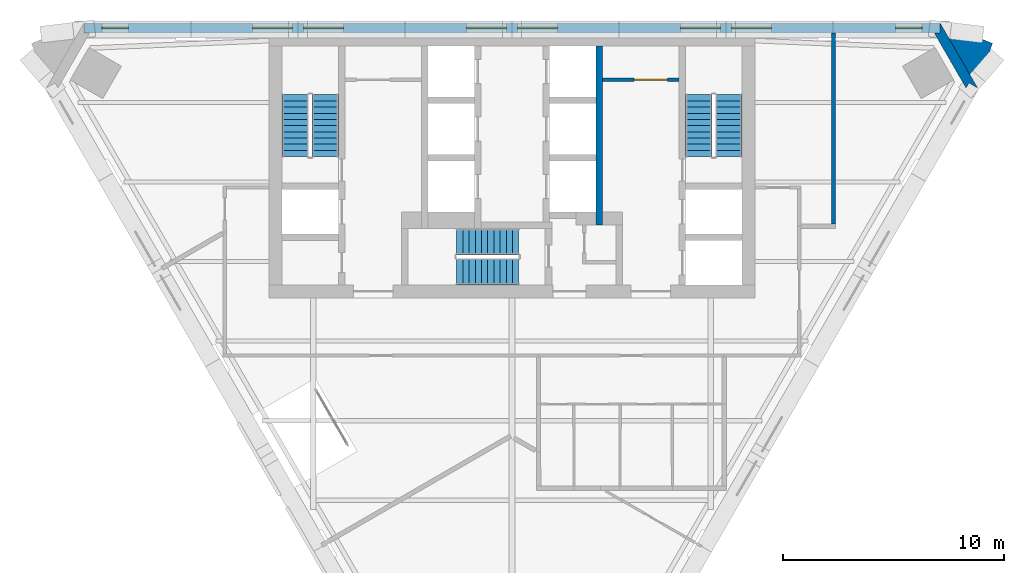
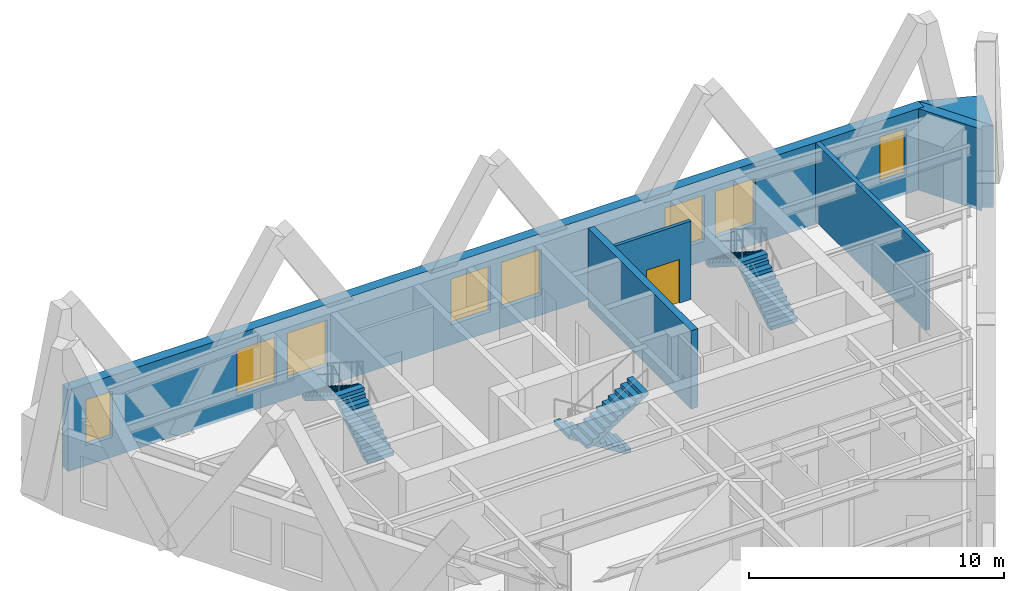
# One storey, part 7 of 9: 8 windows, 6 stair flights, 6 walls, 1 door, 9 openings, 3 elements without a shape of their own.
"""IFC4 building model written with IfcOpenShell, lengths in metres."""

from ifc_helpers import new_model, si_unit, direction, frame, frame_2d, origin, place, context, subcontext, project, spatial, polyline, rectangle, outline, extrude, material, layer, layer_set, type_object, element, fill, aggregate, save


model = new_model("IFC4")

# Units and contexts
model_context = context("Model", 3, precision=1e-05, world=origin(), true_north=direction((0.0, 1.0)))
body_context = subcontext(model_context, "Body", "Model", "MODEL_VIEW")
ifc_project = project(units=[si_unit("LENGTHUNIT", "METRE"), si_unit("AREAUNIT", "SQUARE_METRE"), si_unit("VOLUMEUNIT", "CUBIC_METRE"), si_unit("PLANEANGLEUNIT", "RADIAN"), si_unit("MASSUNIT", "GRAM", prefix="KILO")], contexts=[model_context])

# Site, building, storey
site_placement = place(None, origin())
site = spatial("IfcSite", under=ifc_project, at=site_placement, CompositionType="ELEMENT")
building_placement = place(site_placement, origin())
building = spatial("IfcBuilding", under=site, at=building_placement, Name="Aloe Facet Convention Tower", CompositionType="ELEMENT")
storey_placement = place(building_placement, frame((0.0, 0.0, 203.60009765625)))
storey = spatial("IfcBuildingStorey", under=building, at=storey_placement, Name="L51", CompositionType="ELEMENT", Elevation=203.60009765625)

# Wall, opening, door
ifc_material_1 = material(Name="Concrete blockwork partition", Category="masonry")
ifc_layer_1 = layer(ifc_material_1, 0.14990234375)
ifc_layer_set_1 = layer_set([ifc_layer_1], Name="CR-W-PART150")
wall_type_1 = type_object("IfcWallType", Name="CR-W-PART150", PredefinedType="PARTITIONING", material=ifc_layer_set_1)
wall_1_placement = place(storey_placement, frame((84.10009765625, 132.425048828125, 0.0), z_axis=(0.0, 0.0, 1.0), x_axis=(1.0, 0.0, 0.0)))
wall_1 = element("IfcWall", 1, at=wall_1_placement, inside=storey, type_object=wall_type_1, Name="Core partition L51-025", PredefinedType="PARTITIONING", context=body_context, shape_type="SweptSolid", body=[
    extrude(rectangle(XDim=3.449951171875, YDim=0.14990234375, at=frame_2d((1.72509765625, 0.0))), origin(), (0.0, 0.0, 1.0), 3.75),
])
opening_1_placement = place(wall_1_placement, frame((1.425048828125, 0.0, 0.0)))
opening_1 = element("IfcOpeningElement", 2, at=opening_1_placement, cuts=wall_1, Name="Opening L51-CD13", PredefinedType="OPENING", context=body_context, shape_type="SweptSolid", body=[
    extrude(rectangle(XDim=1.5, YDim=2.10009765625, at=frame_2d((0.75, 1.050048828125))), frame((0.0, 0.0849609375, 0.0), z_axis=(0.0, -1.0, 0.0), x_axis=(1.0, 0.0, 0.0)), (0.0, 0.0, 1.0), 0.169921875),
])
ifc_material_2 = material(Name="Steel fire-resisting door set FD60", Category="steel")
door_type = type_object("IfcDoorType", Name="CR-D-REFUGE-1500-FD60-DD", OperationType="DOUBLE_DOOR_DOUBLE_SWING", PredefinedType="DOOR", material=ifc_material_2)
door_placement = place(opening_1_placement, origin())
door = element("IfcDoor", 3, at=door_placement, inside=storey, type_object=door_type, Name="Core door L51-CD13", OperationType="DOUBLE_DOOR_DOUBLE_SWING", OverallHeight=2.10009765625, OverallWidth=1.5, PredefinedType="DOOR", context=body_context, shape_type="SweptSolid", body=[
    extrude(rectangle(XDim=1.5, YDim=2.10009765625, at=frame_2d((0.75, 1.050048828125))), frame((0.0, 0.02490234375, 0.0), z_axis=(0.0, -1.0, 0.0), x_axis=(1.0, 0.0, 0.0)), (0.0, 0.0, 1.0), 0.050048828125),
])
fill(opening_1, door)

# Walls
ifc_material_3 = material(Name="Concrete C50/60", Category="concrete")
ifc_layer_2 = layer(ifc_material_3, 0.300048828125)
ifc_layer_set_2 = layer_set([ifc_layer_2], Name="CR-W-RC300-C5060")
wall_type_2 = type_object("IfcWallType", Name="CR-W-RC300-C5060", PredefinedType="SOLIDWALL", material=ifc_layer_set_2)
wall_2_placement = place(storey_placement, frame((83.949951171875, 133.949951171875, 0.0), z_axis=(0.0, 0.0, 1.0), x_axis=(0.0, -1.0, 0.0)))
element("IfcWall", 4, at=wall_2_placement, inside=storey, type_object=wall_type_2, Name="Core wall L51-024", PredefinedType="SOLIDWALL", context=body_context, shape_type="SweptSolid", body=[
    extrude(rectangle(XDim=8.099853515625, YDim=0.300048828125, at=frame_2d((4.0498046875, 0.0))), origin(), (0.0, 0.0, 1.0), 3.75),
])
ifc_material_4 = material(Name="Precast concrete C40/50", Category="concrete")
ifc_layer_3 = layer(ifc_material_4, 0.449951171875)
ifc_layer_set_3 = layer_set([ifc_layer_3], Name="EV-WALL-PIER")
wall_type_3 = type_object("IfcWallType", Name="EV-WALL-PIER", PredefinedType="SOLIDWALL", material=ifc_layer_set_3)
wall_3_placement = place(storey_placement, frame((0.0, 0.0, -0.150146484375)))
element("IfcWall", 5, at=wall_3_placement, inside=storey, type_object=wall_type_3, Name="EP-L51-C", PredefinedType="SOLIDWALL", context=body_context, shape_type="SweptSolid", body=[
    extrude(outline(polyline([(101.064697265625, 132.055419921875), (100.6748046875, 132.280517578125), (100.544921875, 132.055419921875), (99.104736328125, 134.550048828125), (99.364501953125, 134.550048828125), (99.364501953125, 135.0), (101.064697265625, 132.055419921875)])), origin(), (0.0, 0.0, 1.0), 3.900146484375),
])
ifc_material_5 = material(Name="Precast concrete C40/50", Category="concrete")
ifc_layer_4 = layer(ifc_material_5, 3.947998046875)
ifc_layer_set_4 = layer_set([ifc_layer_4], Name="EV-WALL-SPINE")
wall_type_4 = type_object("IfcWallType", Name="EV-WALL-SPINE", PredefinedType="SOLIDWALL", material=ifc_layer_set_4)
wall_4_placement = place(storey_placement, frame((0.0, 0.0, -0.150146484375)))
element("IfcWall", 6, at=wall_4_placement, inside=storey, type_object=wall_type_4, Name="SP-NE-L51", PredefinedType="SOLIDWALL", context=body_context, shape_type="SweptSolid", body=[
    extrude(outline(polyline([(101.064697265625, 132.055419921875), (101.741943359375, 134.07763671875), (99.364501953125, 135.0), (101.064697265625, 132.055419921875)])), origin(), (0.0, 0.0, 1.0), 3.900146484375),
])

# Wall, openings, windows
ifc_material_6 = material(Name="Precast concrete C40/50", Category="concrete")
ifc_layer_5 = layer(ifc_material_6, 0.449951171875)
ifc_layer_set_5 = layer_set([ifc_layer_5], Name="EV-WALL-STONE")
wall_type_5 = type_object("IfcWallType", Name="EV-WALL-STONE", PredefinedType="SOLIDWALL", material=ifc_layer_set_5)
wall_5_placement = place(storey_placement, frame((99.364501953125, 134.77490234375, -0.150146484375), z_axis=(0.0, 0.0, 1.0), x_axis=(-1.0, 0.0, 0.0)))
wall_5 = element("IfcWall", 7, at=wall_5_placement, inside=storey, type_object=wall_type_5, Name="EW-L51-N01", PredefinedType="SOLIDWALL", context=body_context, shape_type="SweptSolid", body=[
    extrude(outline(polyline([(38.729248046875, 0.0), (38.729248046875, 3.900146484375), (0.0, 3.900146484375), (0.0, 0.0), (38.729248046875, 0.0)])), frame((0.0, 0.22509765625, 0.0), z_axis=(0.0, -1.0, 0.0), x_axis=(1.0, 0.0, 0.0)), (0.0, 0.0, 1.0), 0.449951171875),
])
opening_2_placement = place(wall_5_placement, frame((0.80712890625, 0.0, 0.949951171875)))
opening_2 = element("IfcOpeningElement", 8, at=opening_2_placement, cuts=wall_5, Name="Opening W-L51-N01", PredefinedType="OPENING", context=body_context, shape_type="SweptSolid", body=[
    extrude(rectangle(XDim=1.199951171875, YDim=2.199951171875, at=frame_2d((0.60009765625, 1.10009765625))), frame((0.0, 0.23486328125, 0.0), z_axis=(0.0, -1.0, 0.0), x_axis=(1.0, 0.0, 0.0)), (0.0, 0.0, 1.0), 0.469970703125),
])
opening_3_placement = place(wall_5_placement, frame((7.63232421875, 0.0, 0.949951171875)))
opening_3 = element("IfcOpeningElement", 9, at=opening_3_placement, cuts=wall_5, Name="Opening W-L51-N02", PredefinedType="OPENING", context=body_context, shape_type="SweptSolid", body=[
    extrude(rectangle(XDim=1.800048828125, YDim=2.199951171875, at=frame_2d((0.89990234375, 1.10009765625))), frame((0.0, 0.23486328125, 0.0), z_axis=(0.0, -1.0, 0.0), x_axis=(1.0, 0.0, 0.0)), (0.0, 0.0, 1.0), 0.469970703125),
])
opening_4_placement = place(wall_5_placement, frame((9.932373046875, 0.0, 0.949951171875)))
opening_4 = element("IfcOpeningElement", 10, at=opening_4_placement, cuts=wall_5, Name="Opening W-L51-N03", PredefinedType="OPENING", context=body_context, shape_type="SweptSolid", body=[
    extrude(rectangle(XDim=1.800048828125, YDim=2.199951171875, at=frame_2d((0.89990234375, 1.10009765625))), frame((0.0, 0.23486328125, 0.0), z_axis=(0.0, -1.0, 0.0), x_axis=(1.0, 0.0, 0.0)), (0.0, 0.0, 1.0), 0.469970703125),
])
opening_5_placement = place(wall_5_placement, frame((17.314697265625, 0.0, 0.949951171875)))
opening_5 = element("IfcOpeningElement", 11, at=opening_5_placement, cuts=wall_5, Name="Opening W-L51-N04", PredefinedType="OPENING", context=body_context, shape_type="SweptSolid", body=[
    extrude(rectangle(XDim=1.800048828125, YDim=2.199951171875, at=frame_2d((0.89990234375, 1.10009765625))), frame((0.0, 0.23486328125, 0.0), z_axis=(0.0, -1.0, 0.0), x_axis=(1.0, 0.0, 0.0)), (0.0, 0.0, 1.0), 0.469970703125),
])
opening_6_placement = place(wall_5_placement, frame((19.614501953125, 0.0, 0.949951171875)))
opening_6 = element("IfcOpeningElement", 12, at=opening_6_placement, cuts=wall_5, Name="Opening W-L51-N05", PredefinedType="OPENING", context=body_context, shape_type="SweptSolid", body=[
    extrude(rectangle(XDim=1.800048828125, YDim=2.199951171875, at=frame_2d((0.89990234375, 1.10009765625))), frame((0.0, 0.23486328125, 0.0), z_axis=(0.0, -1.0, 0.0), x_axis=(1.0, 0.0, 0.0)), (0.0, 0.0, 1.0), 0.469970703125),
])
opening_7_placement = place(wall_5_placement, frame((26.996826171875, 0.0, 0.949951171875)))
opening_7 = element("IfcOpeningElement", 13, at=opening_7_placement, cuts=wall_5, Name="Opening W-L51-N06", PredefinedType="OPENING", context=body_context, shape_type="SweptSolid", body=[
    extrude(rectangle(XDim=1.800048828125, YDim=2.199951171875, at=frame_2d((0.89990234375, 1.10009765625))), frame((0.0, 0.23486328125, 0.0), z_axis=(0.0, -1.0, 0.0), x_axis=(1.0, 0.0, 0.0)), (0.0, 0.0, 1.0), 0.469970703125),
])
opening_8_placement = place(wall_5_placement, frame((29.296875, 0.0, 0.949951171875)))
opening_8 = element("IfcOpeningElement", 14, at=opening_8_placement, cuts=wall_5, Name="Opening W-L51-N07", PredefinedType="OPENING", context=body_context, shape_type="SweptSolid", body=[
    extrude(rectangle(XDim=1.800048828125, YDim=2.199951171875, at=frame_2d((0.89990234375, 1.10009765625))), frame((0.0, 0.23486328125, 0.0), z_axis=(0.0, -1.0, 0.0), x_axis=(1.0, 0.0, 0.0)), (0.0, 0.0, 1.0), 0.469970703125),
])
opening_9_placement = place(wall_5_placement, frame((36.72216796875, 0.0, 0.949951171875)))
opening_9 = element("IfcOpeningElement", 15, at=opening_9_placement, cuts=wall_5, Name="Opening W-L51-N08", PredefinedType="OPENING", context=body_context, shape_type="SweptSolid", body=[
    extrude(rectangle(XDim=1.199951171875, YDim=2.199951171875, at=frame_2d((0.60009765625, 1.10009765625))), frame((0.0, 0.23486328125, 0.0), z_axis=(0.0, -1.0, 0.0), x_axis=(1.0, 0.0, 0.0)), (0.0, 0.0, 1.0), 0.469970703125),
])
ifc_material_7 = material(Name="Aluminium frame, clear double glazing", Category="aluminium")
window_type_1 = type_object("IfcWindowType", Name="EV-WIN-O12", PartitioningType="SINGLE_PANEL", PredefinedType="WINDOW", material=ifc_material_7)
window_1_placement = place(opening_2_placement, origin())
window_1 = element("IfcWindow", 16, at=window_1_placement, inside=storey, type_object=window_type_1, Name="W-L51-N01", OverallHeight=2.199951171875, OverallWidth=1.199951171875, PartitioningType="SINGLE_PANEL", PredefinedType="WINDOW", context=body_context, shape_type="SweptSolid", body=[
    extrude(rectangle(XDim=1.199951171875, YDim=2.199951171875, at=frame_2d((0.60009765625, 1.10009765625))), frame((0.0, 0.030029296875, 0.0), z_axis=(0.0, -1.0, 0.0), x_axis=(1.0, 0.0, 0.0)), (0.0, 0.0, 1.0), 0.06005859375),
])
fill(opening_2, window_1)
window_2_placement = place(opening_9_placement, origin())
window_2 = element("IfcWindow", 17, at=window_2_placement, inside=storey, type_object=window_type_1, Name="W-L51-N08", OverallHeight=2.199951171875, OverallWidth=1.199951171875, PartitioningType="SINGLE_PANEL", PredefinedType="WINDOW", context=body_context, shape_type="SweptSolid", body=[
    extrude(rectangle(XDim=1.199951171875, YDim=2.199951171875, at=frame_2d((0.60009765625, 1.10009765625))), frame((0.0, 0.030029296875, 0.0), z_axis=(0.0, -1.0, 0.0), x_axis=(1.0, 0.0, 0.0)), (0.0, 0.0, 1.0), 0.06005859375),
])
fill(opening_9, window_2)
ifc_material_8 = material(Name="Aluminium frame, clear double glazing", Category="aluminium")
window_type_2 = type_object("IfcWindowType", Name="EV-WIN-O18", PartitioningType="SINGLE_PANEL", PredefinedType="WINDOW", material=ifc_material_8)
window_3_placement = place(opening_3_placement, origin())
window_3 = element("IfcWindow", 18, at=window_3_placement, inside=storey, type_object=window_type_2, Name="W-L51-N02", OverallHeight=2.199951171875, OverallWidth=1.800048828125, PartitioningType="SINGLE_PANEL", PredefinedType="WINDOW", context=body_context, shape_type="SweptSolid", body=[
    extrude(rectangle(XDim=1.800048828125, YDim=2.199951171875, at=frame_2d((0.89990234375, 1.10009765625))), frame((0.0, 0.030029296875, 0.0), z_axis=(0.0, -1.0, 0.0), x_axis=(1.0, 0.0, 0.0)), (0.0, 0.0, 1.0), 0.06005859375),
])
fill(opening_3, window_3)
window_4_placement = place(opening_4_placement, origin())
window_4 = element("IfcWindow", 19, at=window_4_placement, inside=storey, type_object=window_type_2, Name="W-L51-N03", OverallHeight=2.199951171875, OverallWidth=1.800048828125, PartitioningType="SINGLE_PANEL", PredefinedType="WINDOW", context=body_context, shape_type="SweptSolid", body=[
    extrude(rectangle(XDim=1.800048828125, YDim=2.199951171875, at=frame_2d((0.89990234375, 1.10009765625))), frame((0.0, 0.030029296875, 0.0), z_axis=(0.0, -1.0, 0.0), x_axis=(1.0, 0.0, 0.0)), (0.0, 0.0, 1.0), 0.06005859375),
])
fill(opening_4, window_4)
window_5_placement = place(opening_5_placement, origin())
window_5 = element("IfcWindow", 20, at=window_5_placement, inside=storey, type_object=window_type_2, Name="W-L51-N04", OverallHeight=2.199951171875, OverallWidth=1.800048828125, PartitioningType="SINGLE_PANEL", PredefinedType="WINDOW", context=body_context, shape_type="SweptSolid", body=[
    extrude(rectangle(XDim=1.800048828125, YDim=2.199951171875, at=frame_2d((0.89990234375, 1.10009765625))), frame((0.0, 0.030029296875, 0.0), z_axis=(0.0, -1.0, 0.0), x_axis=(1.0, 0.0, 0.0)), (0.0, 0.0, 1.0), 0.06005859375),
])
fill(opening_5, window_5)
window_6_placement = place(opening_6_placement, origin())
window_6 = element("IfcWindow", 21, at=window_6_placement, inside=storey, type_object=window_type_2, Name="W-L51-N05", OverallHeight=2.199951171875, OverallWidth=1.800048828125, PartitioningType="SINGLE_PANEL", PredefinedType="WINDOW", context=body_context, shape_type="SweptSolid", body=[
    extrude(rectangle(XDim=1.800048828125, YDim=2.199951171875, at=frame_2d((0.89990234375, 1.10009765625))), frame((0.0, 0.030029296875, 0.0), z_axis=(0.0, -1.0, 0.0), x_axis=(1.0, 0.0, 0.0)), (0.0, 0.0, 1.0), 0.06005859375),
])
fill(opening_6, window_6)
window_7_placement = place(opening_7_placement, origin())
window_7 = element("IfcWindow", 22, at=window_7_placement, inside=storey, type_object=window_type_2, Name="W-L51-N06", OverallHeight=2.199951171875, OverallWidth=1.800048828125, PartitioningType="SINGLE_PANEL", PredefinedType="WINDOW", context=body_context, shape_type="SweptSolid", body=[
    extrude(rectangle(XDim=1.800048828125, YDim=2.199951171875, at=frame_2d((0.89990234375, 1.10009765625))), frame((0.0, 0.030029296875, 0.0), z_axis=(0.0, -1.0, 0.0), x_axis=(1.0, 0.0, 0.0)), (0.0, 0.0, 1.0), 0.06005859375),
])
fill(opening_7, window_7)
window_8_placement = place(opening_8_placement, origin())
window_8 = element("IfcWindow", 23, at=window_8_placement, inside=storey, type_object=window_type_2, Name="W-L51-N07", OverallHeight=2.199951171875, OverallWidth=1.800048828125, PartitioningType="SINGLE_PANEL", PredefinedType="WINDOW", context=body_context, shape_type="SweptSolid", body=[
    extrude(rectangle(XDim=1.800048828125, YDim=2.199951171875, at=frame_2d((0.89990234375, 1.10009765625))), frame((0.0, 0.030029296875, 0.0), z_axis=(0.0, -1.0, 0.0), x_axis=(1.0, 0.0, 0.0)), (0.0, 0.0, 1.0), 0.06005859375),
])
fill(opening_8, window_8)

# Wall
ifc_material_9 = material(Name="Gypsum board partition on steel studs", Category="steel")
ifc_layer_6 = layer(ifc_material_9, 0.199951171875)
ifc_layer_set_6 = layer_set([ifc_layer_6], Name="IN-W-PARTY")
wall_type_6 = type_object("IfcWallType", Name="IN-W-PARTY", PredefinedType="PARTITIONING", material=ifc_layer_set_6)
wall_6_placement = place(storey_placement, frame((94.544921875, 125.89990234375, 0.0), z_axis=(0.0, 0.0, 1.0), x_axis=(0.0, 1.0, 0.0)))
element("IfcWall", 24, at=wall_6_placement, inside=storey, type_object=wall_type_6, Name="Partition L51-W029", PredefinedType="PARTITIONING", context=body_context, shape_type="SweptSolid", body=[
    extrude(rectangle(XDim=8.650146484375, YDim=0.199951171875, at=frame_2d((4.3251953125, 0.0))), origin(), (0.0, 0.0, 1.0), 3.75),
])

# Stair, stair flights
ifc_material_10 = material(Name="Concrete C50/60", Category="concrete")
stair_type = type_object("IfcStairType", Name="CR-ST-22R", PredefinedType="HALF_TURN_STAIR", material=ifc_material_10)
stair_1_placement = place(storey_placement, origin())
stair_1 = element("IfcStair", 25, at=stair_1_placement, inside=storey, type_object=stair_type, Name="L51 Protected exit stair ST1", PredefinedType="HALF_TURN_STAIR")
ifc_material_11 = material(Name="Concrete C50/60", Category="concrete")
stair_flight_type = type_object("IfcStairFlightType", Name="CR-SFL-22R", PredefinedType="STRAIGHT", material=ifc_material_11)
stair_flight_1_placement = place(storey_placement, frame((71.550048828125, 128.949951171875, 0.0), z_axis=(0.0, 0.0, 1.0), x_axis=(0.0, 1.0, 0.0)))
stair_flight_1 = element("IfcStairFlight", 26, at=stair_flight_1_placement, type_object=stair_flight_type, Name="ST1 flight 1", NumberOfRisers=11, NumberOfTreads=10, PredefinedType="STRAIGHT", RiserHeight=0.177272727, TreadLength=0.28, context=body_context, shape_type="SweptSolid", body=[
    extrude(outline(polyline([(0.0, 0.0), (0.0, 0.17724609375), (0.280029296875, 0.17724609375), (0.280029296875, 0.3544921875), (0.56005859375, 0.3544921875), (0.56005859375, 0.53173828125), (0.840087890625, 0.53173828125), (0.840087890625, 0.708984375), (1.1201171875, 0.708984375), (1.1201171875, 0.886474609375), (1.39990234375, 0.886474609375), (1.39990234375, 1.063720703125), (1.679931640625, 1.063720703125), (1.679931640625, 1.240966796875), (1.9599609375, 1.240966796875), (1.9599609375, 1.418212890625), (2.239990234375, 1.418212890625), (2.239990234375, 1.595458984375), (2.52001953125, 1.595458984375), (2.52001953125, 1.772705078125), (2.800048828125, 1.772705078125), (2.800048828125, 1.949951171875), (2.800048828125, 1.59521484375), (0.2802734375, 0.0), (0.0, 0.0)])), frame((0.0, 0.60009765625, 0.0), z_axis=(0.0, -1.0, 0.0), x_axis=(1.0, 0.0, 0.0)), (0.0, 0.0, 1.0), 1.199951171875),
])
stair_flight_2_placement = place(storey_placement, frame((70.199951171875, 131.75, 1.949951171875), z_axis=(0.0, 0.0, 1.0), x_axis=(0.0, -1.0, 0.0)))
stair_flight_2 = element("IfcStairFlight", 27, at=stair_flight_2_placement, type_object=stair_flight_type, Name="ST1 flight 2", NumberOfRisers=11, NumberOfTreads=10, PredefinedType="STRAIGHT", RiserHeight=0.177272727, TreadLength=0.28, context=body_context, shape_type="SweptSolid", body=[
    extrude(outline(polyline([(0.0, 0.0), (0.0, 0.17724609375), (0.280029296875, 0.17724609375), (0.280029296875, 0.3544921875), (0.56005859375, 0.3544921875), (0.56005859375, 0.53173828125), (0.840087890625, 0.53173828125), (0.840087890625, 0.708984375), (1.1201171875, 0.708984375), (1.1201171875, 0.886474609375), (1.39990234375, 0.886474609375), (1.39990234375, 1.063720703125), (1.679931640625, 1.063720703125), (1.679931640625, 1.240966796875), (1.9599609375, 1.240966796875), (1.9599609375, 1.418212890625), (2.239990234375, 1.418212890625), (2.239990234375, 1.595458984375), (2.52001953125, 1.595458984375), (2.52001953125, 1.772705078125), (2.800048828125, 1.772705078125), (2.800048828125, 1.949951171875), (2.800048828125, 1.59521484375), (0.2802734375, 0.0), (0.0, 0.0)])), frame((0.0, 0.60009765625, 0.0), z_axis=(0.0, -1.0, 0.0), x_axis=(1.0, 0.0, 0.0)), (0.0, 0.0, 1.0), 1.199951171875),
])
aggregate(stair_1, [stair_flight_1, stair_flight_2])

stair_2_placement = place(storey_placement, origin())
stair_2 = element("IfcStair", 28, at=stair_2_placement, inside=storey, type_object=stair_type, Name="L51 Protected exit stair ST2", PredefinedType="HALF_TURN_STAIR")
stair_flight_3_placement = place(storey_placement, frame((89.800048828125, 128.949951171875, 0.0), z_axis=(0.0, 0.0, 1.0), x_axis=(0.0, 1.0, 0.0)))
stair_flight_3 = element("IfcStairFlight", 29, at=stair_flight_3_placement, type_object=stair_flight_type, Name="ST2 flight 1", NumberOfRisers=11, NumberOfTreads=10, PredefinedType="STRAIGHT", RiserHeight=0.177272727, TreadLength=0.28, context=body_context, shape_type="SweptSolid", body=[
    extrude(outline(polyline([(0.0, 0.0), (0.0, 0.17724609375), (0.280029296875, 0.17724609375), (0.280029296875, 0.3544921875), (0.56005859375, 0.3544921875), (0.56005859375, 0.53173828125), (0.840087890625, 0.53173828125), (0.840087890625, 0.708984375), (1.1201171875, 0.708984375), (1.1201171875, 0.886474609375), (1.39990234375, 0.886474609375), (1.39990234375, 1.063720703125), (1.679931640625, 1.063720703125), (1.679931640625, 1.240966796875), (1.9599609375, 1.240966796875), (1.9599609375, 1.418212890625), (2.239990234375, 1.418212890625), (2.239990234375, 1.595458984375), (2.52001953125, 1.595458984375), (2.52001953125, 1.772705078125), (2.800048828125, 1.772705078125), (2.800048828125, 1.949951171875), (2.800048828125, 1.59521484375), (0.2802734375, 0.0), (0.0, 0.0)])), frame((0.0, 0.60009765625, 0.0), z_axis=(0.0, -1.0, 0.0), x_axis=(1.0, 0.0, 0.0)), (0.0, 0.0, 1.0), 1.199951171875),
])
stair_flight_4_placement = place(storey_placement, frame((88.449951171875, 131.75, 1.949951171875), z_axis=(0.0, 0.0, 1.0), x_axis=(0.0, -1.0, 0.0)))
stair_flight_4 = element("IfcStairFlight", 30, at=stair_flight_4_placement, type_object=stair_flight_type, Name="ST2 flight 2", NumberOfRisers=11, NumberOfTreads=10, PredefinedType="STRAIGHT", RiserHeight=0.177272727, TreadLength=0.28, context=body_context, shape_type="SweptSolid", body=[
    extrude(outline(polyline([(0.0, 0.0), (0.0, 0.17724609375), (0.280029296875, 0.17724609375), (0.280029296875, 0.3544921875), (0.56005859375, 0.3544921875), (0.56005859375, 0.53173828125), (0.840087890625, 0.53173828125), (0.840087890625, 0.708984375), (1.1201171875, 0.708984375), (1.1201171875, 0.886474609375), (1.39990234375, 0.886474609375), (1.39990234375, 1.063720703125), (1.679931640625, 1.063720703125), (1.679931640625, 1.240966796875), (1.9599609375, 1.240966796875), (1.9599609375, 1.418212890625), (2.239990234375, 1.418212890625), (2.239990234375, 1.595458984375), (2.52001953125, 1.595458984375), (2.52001953125, 1.772705078125), (2.800048828125, 1.772705078125), (2.800048828125, 1.949951171875), (2.800048828125, 1.59521484375), (0.2802734375, 0.0), (0.0, 0.0)])), frame((0.0, 0.60009765625, 0.0), z_axis=(0.0, -1.0, 0.0), x_axis=(1.0, 0.0, 0.0)), (0.0, 0.0, 1.0), 1.199951171875),
])
aggregate(stair_2, [stair_flight_3, stair_flight_4])

stair_3_placement = place(storey_placement, origin())
stair_3 = element("IfcStair", 31, at=stair_3_placement, inside=storey, type_object=stair_type, Name="L51 Protected exit stair ST3", PredefinedType="HALF_TURN_STAIR")
stair_flight_5_placement = place(storey_placement, frame((80.300048828125, 125.10009765625, 0.0), z_axis=(0.0, 0.0, 1.0), x_axis=(-1.0, 0.0, 0.0)))
stair_flight_5 = element("IfcStairFlight", 32, at=stair_flight_5_placement, type_object=stair_flight_type, Name="ST3 flight 1", NumberOfRisers=11, NumberOfTreads=10, PredefinedType="STRAIGHT", RiserHeight=0.177272727, TreadLength=0.28, context=body_context, shape_type="SweptSolid", body=[
    extrude(outline(polyline([(0.0, 0.0), (0.0, 0.17724609375), (0.280029296875, 0.17724609375), (0.280029296875, 0.3544921875), (0.56005859375, 0.3544921875), (0.56005859375, 0.53173828125), (0.840087890625, 0.53173828125), (0.840087890625, 0.708984375), (1.1201171875, 0.708984375), (1.1201171875, 0.886474609375), (1.39990234375, 0.886474609375), (1.39990234375, 1.063720703125), (1.679931640625, 1.063720703125), (1.679931640625, 1.240966796875), (1.9599609375, 1.240966796875), (1.9599609375, 1.418212890625), (2.239990234375, 1.418212890625), (2.239990234375, 1.595458984375), (2.52001953125, 1.595458984375), (2.52001953125, 1.772705078125), (2.800048828125, 1.772705078125), (2.800048828125, 1.949951171875), (2.800048828125, 1.59521484375), (0.2802734375, 0.0), (0.0, 0.0)])), frame((0.0, 0.60009765625, 0.0), z_axis=(0.0, -1.0, 0.0), x_axis=(1.0, 0.0, 0.0)), (0.0, 0.0, 1.0), 1.199951171875),
])
stair_flight_6_placement = place(storey_placement, frame((77.5, 123.75, 1.949951171875), z_axis=(0.0, 0.0, 1.0), x_axis=(1.0, 0.0, 0.0)))
stair_flight_6 = element("IfcStairFlight", 33, at=stair_flight_6_placement, type_object=stair_flight_type, Name="ST3 flight 2", NumberOfRisers=11, NumberOfTreads=10, PredefinedType="STRAIGHT", RiserHeight=0.177272727, TreadLength=0.28, context=body_context, shape_type="SweptSolid", body=[
    extrude(outline(polyline([(0.0, 0.0), (0.0, 0.17724609375), (0.280029296875, 0.17724609375), (0.280029296875, 0.3544921875), (0.56005859375, 0.3544921875), (0.56005859375, 0.53173828125), (0.840087890625, 0.53173828125), (0.840087890625, 0.708984375), (1.1201171875, 0.708984375), (1.1201171875, 0.886474609375), (1.39990234375, 0.886474609375), (1.39990234375, 1.063720703125), (1.679931640625, 1.063720703125), (1.679931640625, 1.240966796875), (1.9599609375, 1.240966796875), (1.9599609375, 1.418212890625), (2.239990234375, 1.418212890625), (2.239990234375, 1.595458984375), (2.52001953125, 1.595458984375), (2.52001953125, 1.772705078125), (2.800048828125, 1.772705078125), (2.800048828125, 1.949951171875), (2.800048828125, 1.59521484375), (0.2802734375, 0.0), (0.0, 0.0)])), frame((0.0, 0.60009765625, 0.0), z_axis=(0.0, -1.0, 0.0), x_axis=(1.0, 0.0, 0.0)), (0.0, 0.0, 1.0), 1.199951171875),
])
aggregate(stair_3, [stair_flight_5, stair_flight_6])

save(model, "model.ifc")
